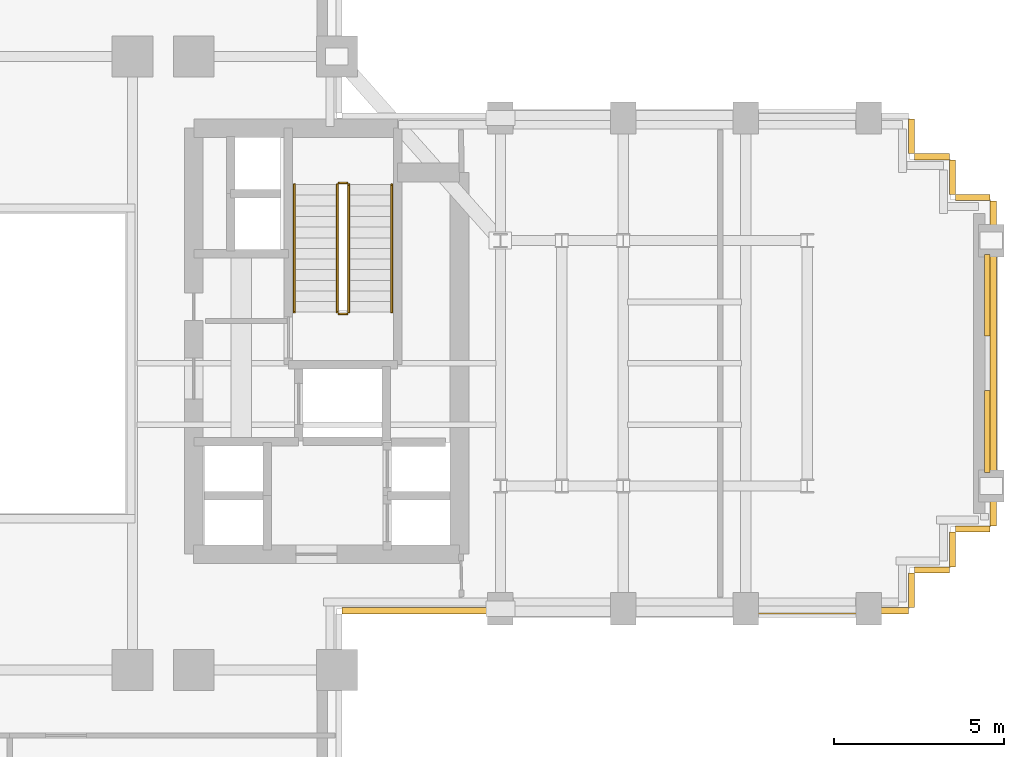
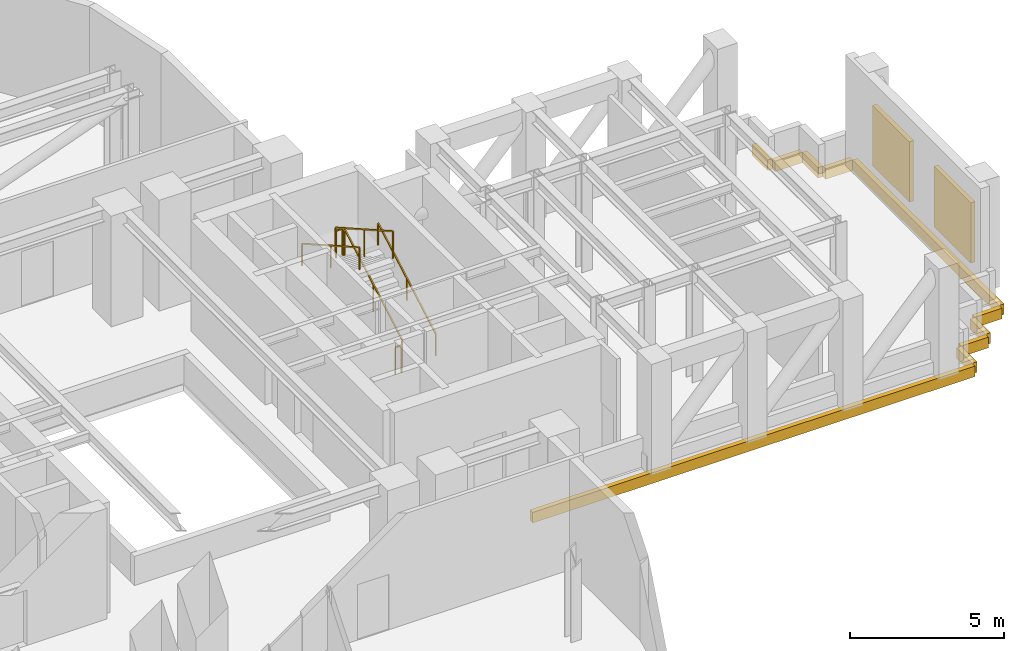
# One storey, part 14 of 15: 10 coverings, 6 railings, 2 shading devices.
"""IFC4 building model written with IfcOpenShell, lengths in metres."""

from ifc_helpers import new_model, si_unit, direction, frame, origin, origin_2d, place, context, subcontext, project, spatial, rectangle, extrude, source, transform, mapped, material, layer, layer_set, type_object, element, save


model = new_model("IFC4")

# Units and contexts
model_context = context("Model", 3, precision=1e-05, world=origin(), true_north=direction((0.0, 1.0)))
body_context = subcontext(model_context, "Body", "Model", "MODEL_VIEW")
ifc_project = project(units=[si_unit("LENGTHUNIT", "METRE"), si_unit("AREAUNIT", "SQUARE_METRE"), si_unit("VOLUMEUNIT", "CUBIC_METRE"), si_unit("PLANEANGLEUNIT", "RADIAN"), si_unit("MASSUNIT", "GRAM", prefix="KILO")], contexts=[model_context])

# Site, building, storey
site_placement = place(None, origin())
site = spatial("IfcSite", under=ifc_project, at=site_placement, CompositionType="ELEMENT")
building_placement = place(site_placement, origin())
building = spatial("IfcBuilding", under=site, at=building_placement, Name="Keilestroom Media Tower", CompositionType="ELEMENT")
storey_placement = place(building_placement, frame((0.0, 0.0, 88.39990234375)))
storey = spatial("IfcBuildingStorey", under=building, at=storey_placement, Name="L23", CompositionType="ELEMENT", Elevation=88.39990234375)

# Railings
ifc_material_1 = material(Name="Brushed Stainless Steel 1.4301", Category="steel")
railing_type_1 = type_object("IfcRailingType", Name="Stair-Pitch-Handrail-920", PredefinedType="HANDRAIL", material=ifc_material_1)
railing_1_placement = place(storey_placement, frame((11.2099609375, 1.5, 0.177001953125)))
element("IfcRailing", 1, at=railing_1_placement, inside=storey, type_object=railing_type_1, Name="L23 ST-2 stair handrail 1", PredefinedType="HANDRAIL", context=body_context, shape_type="SweptSolid", body=[
    extrude(rectangle(XDim=0.048095703125, YDim=0.048095703125, at=origin_2d()), frame((0.0, 0.0, 0.8759765625), z_axis=(0.0, 0.869872104396, 0.493277327671), x_axis=(-1.0, 0.0, 0.0)), (0.0, 0.0, 1.0), 4.303955078125),
    extrude(rectangle(XDim=0.0419921875, YDim=0.0419921875, at=origin_2d()), origin(), (0.0, 0.0, 1.0), 0.84375),
    extrude(rectangle(XDim=0.0419921875, YDim=0.0419921875, at=origin_2d()), frame((0.0, 1.8720703125, 1.0615234375)), (0.0, 0.0, 1.0), 0.84375),
    extrude(rectangle(XDim=0.0419921875, YDim=0.0419921875, at=origin_2d()), frame((0.0, 3.743896484375, 2.123046875)), (0.0, 0.0, 1.0), 0.84375),
])
railing_2_placement = place(storey_placement, frame((8.35009765625, 5.243896484375, 2.47705078125)))
element("IfcRailing", 2, at=railing_2_placement, inside=storey, type_object=railing_type_1, Name="L23 ST-2 stair handrail 2", PredefinedType="HANDRAIL", context=body_context, shape_type="SweptSolid", body=[
    extrude(rectangle(XDim=0.048095703125, YDim=0.048095703125, at=origin_2d()), frame((0.0, 0.0, 0.8759765625), z_axis=(0.0, -0.869872104396, 0.493277327671), x_axis=(1.0, 0.0, 0.0)), (0.0, 0.0, 1.0), 4.303955078125),
    extrude(rectangle(XDim=0.0419921875, YDim=0.0419921875, at=origin_2d()), origin(), (0.0, 0.0, 1.0), 0.84375),
    extrude(rectangle(XDim=0.0419921875, YDim=0.0419921875, at=origin_2d()), frame((0.0, -1.8720703125, 1.0615234375)), (0.0, 0.0, 1.0), 0.84375),
    extrude(rectangle(XDim=0.0419921875, YDim=0.0419921875, at=origin_2d()), frame((0.0, -3.743896484375, 2.123046875)), (0.0, 0.0, 1.0), 0.84375),
])
ifc_material_2 = material(Name="Painted Steel Balustrade", Category="steel")
railing_type_2 = type_object("IfcRailingType", Name="Stair-Well-And-Landing-Guard-1100", PredefinedType="GUARDRAIL", material=ifc_material_2)
railing_3_placement = place(storey_placement, frame((9.949951171875, 1.5, 0.177001953125)))
element("IfcRailing", 3, at=railing_3_placement, inside=storey, type_object=railing_type_2, Name="L23 ST-2 stair guard 1", PredefinedType="GUARDRAIL", context=body_context, shape_type="SweptSolid", body=[
    extrude(rectangle(XDim=0.048095703125, YDim=0.048095703125, at=origin_2d()), frame((0.0, 0.0, 1.076171875), z_axis=(0.0, 0.869872104396, 0.493277327671), x_axis=(-1.0, 0.0, 0.0)), (0.0, 0.0, 1.0), 4.303955078125),
    extrude(rectangle(XDim=0.0419921875, YDim=0.0419921875, at=origin_2d()), origin(), (0.0, 0.0, 1.0), 1.0439453125),
    extrude(rectangle(XDim=0.0419921875, YDim=0.0419921875, at=origin_2d()), frame((0.0, 1.8720703125, 1.0615234375)), (0.0, 0.0, 1.0), 1.0439453125),
    extrude(rectangle(XDim=0.0419921875, YDim=0.0419921875, at=origin_2d()), frame((0.0, 3.743896484375, 2.123046875)), (0.0, 0.0, 1.0), 1.0439453125),
])
railing_4_placement = place(storey_placement, frame((9.89990234375, 5.2939453125, 2.300048828125)))
element("IfcRailing", 4, at=railing_4_placement, inside=storey, type_object=railing_type_2, Name="L23 ST-2 stair guard 2", PredefinedType="GUARDRAIL", context=body_context, shape_type="SweptSolid", body=[
    extrude(rectangle(XDim=0.048095703125, YDim=0.048095703125, at=origin_2d()), frame((0.0, 0.0, 1.076171875), z_axis=(-1.0, 0.0, 0.0), x_axis=(0.0, -1.0, 0.0)), (0.0, 0.0, 1.0), 0.239990234375),
    extrude(rectangle(XDim=0.0419921875, YDim=0.0419921875, at=origin_2d()), origin(), (0.0, 0.0, 1.0), 1.0439453125),
    extrude(rectangle(XDim=0.0419921875, YDim=0.0419921875, at=origin_2d()), frame((-0.239990234375, 0.0, 0.0)), (0.0, 0.0, 1.0), 1.0439453125),
])
railing_5_placement = place(storey_placement, frame((9.610107421875, 5.243896484375, 2.47705078125)))
element("IfcRailing", 5, at=railing_5_placement, inside=storey, type_object=railing_type_2, Name="L23 ST-2 stair guard 3", PredefinedType="GUARDRAIL", context=body_context, shape_type="SweptSolid", body=[
    extrude(rectangle(XDim=0.048095703125, YDim=0.048095703125, at=origin_2d()), frame((0.0, 0.0, 1.076171875), z_axis=(0.0, -0.869872104396, 0.493277327671), x_axis=(1.0, 0.0, 0.0)), (0.0, 0.0, 1.0), 4.303955078125),
    extrude(rectangle(XDim=0.0419921875, YDim=0.0419921875, at=origin_2d()), origin(), (0.0, 0.0, 1.0), 1.0439453125),
    extrude(rectangle(XDim=0.0419921875, YDim=0.0419921875, at=origin_2d()), frame((0.0, -1.8720703125, 1.0615234375)), (0.0, 0.0, 1.0), 1.0439453125),
    extrude(rectangle(XDim=0.0419921875, YDim=0.0419921875, at=origin_2d()), frame((0.0, -3.743896484375, 2.123046875)), (0.0, 0.0, 1.0), 1.0439453125),
])
railing_6_placement = place(storey_placement, frame((9.89990234375, 1.449951171875, 0.0)))
element("IfcRailing", 6, at=railing_6_placement, inside=storey, type_object=railing_type_2, Name="L23 ST-2 stair guard 4", PredefinedType="GUARDRAIL", context=body_context, shape_type="SweptSolid", body=[
    extrude(rectangle(XDim=0.048095703125, YDim=0.048095703125, at=origin_2d()), frame((0.0, 0.0, 1.076171875), z_axis=(-1.0, 0.0, 0.0), x_axis=(0.0, -1.0, 0.0)), (0.0, 0.0, 1.0), 0.239990234375),
    extrude(rectangle(XDim=0.0419921875, YDim=0.0419921875, at=origin_2d()), origin(), (0.0, 0.0, 1.0), 1.0439453125),
    extrude(rectangle(XDim=0.0419921875, YDim=0.0419921875, at=origin_2d()), frame((-0.239990234375, 0.0, 0.0)), (0.0, 0.0, 1.0), 1.0439453125),
])

# Shading devices
ifc_material_3 = material(Name="Bronze Anodised Aluminium", Category="aluminium")
ifc_layer_1 = layer(ifc_material_3, 0.159912109375)
ifc_layer_set_1 = layer_set([ifc_layer_1], Name="Bronze Anodised Aluminium")
shading_device_type = type_object("IfcShadingDeviceType", Name="Facade-Plant-Intake-Louvre-SHD-2", PredefinedType="USERDEFINED", material=ifc_layer_set_1)
shared_shape_1 = source(origin(), body_context, "Body", "SweptSolid", [
    extrude(rectangle(XDim=0.159912109375, YDim=2.39990234375, at=origin_2d()), origin(), (0.0, 0.0, 1.0), 2.39990234375),
])
for number, where, z_axis, x_axis, name in (
    (7, (28.68994140625, -2.0, 0.60009765625), (0.0, 0.0, 1.0), (1.0, 0.0, 0.0), "L23 Plant Intake Louvre E 07"),
    (8, (28.68994140625, 2.0, 0.60009765625), (0.0, 0.0, 1.0), (1.0, 0.0, 0.0), "L23 Plant Intake Louvre E 08"),
):
    element("IfcShadingDevice", number, at=place(storey_placement, frame(where, z_axis=z_axis, x_axis=x_axis)), inside=storey, type_object=shading_device_type, Name=name, ObjectType="LOUVER", PredefinedType="USERDEFINED", context=body_context, shape_type="MappedRepresentation", body=[
        mapped(shared_shape_1, transform((0.0, 0.0, 0.0), x_axis=(1.0, 0.0, 0.0), y_axis=(0.0, 1.0, 0.0), z_axis=(0.0, 0.0, 1.0), scale=1.0)),
    ])

# Coverings
ifc_material_4 = material(Name="Precast concrete C40/50", Category="concrete")
ifc_layer_2 = layer(ifc_material_4, 0.1201171875)
ifc_layer_set_2 = layer_set([ifc_layer_2], Name="Precast concrete C40/50")
covering_type = type_object("IfcCoveringType", Name="Exterior-Precast-Spandrel-Cladding-Panel-120", PredefinedType="CLADDING", material=ifc_layer_set_2)
shared_shape_2 = source(origin(), body_context, "Body", "SweptSolid", [
    extrude(rectangle(XDim=1.02001953125, YDim=0.179931640625, at=origin_2d()), origin(), (0.0, 0.0, 1.0), 0.419921875),
])
for number, where, z_axis, x_axis, name in (
    (9, (28.260009765625, -4.860107421875, -0.599853515625), (0.0, 0.0, 1.0), (-1.0, 0.0, 0.0), "L23 Precast Slab-Edge Fascia Cornice 01"),
    (10, (27.659912109375, -5.4599609375, -0.599853515625), (0.0, 0.0, 1.0), (0.0, -1.0, 0.0), "L23 Precast Slab-Edge Fascia Cornice 02"),
    (11, (27.06005859375, -6.06005859375, -0.599853515625), (0.0, 0.0, 1.0), (-1.0, 0.0, 0.0), "L23 Precast Slab-Edge Fascia Cornice 03"),
    (12, (26.4599609375, -6.659912109375, -0.599853515625), (0.0, 0.0, 1.0), (0.0, -1.0, 0.0), "L23 Precast Slab-Edge Fascia Cornice 04"),
    (13, (26.4599609375, 6.659912109375, -0.599853515625), (0.0, 0.0, 1.0), (0.0, -1.0, 0.0), "L23 Precast Slab-Edge Fascia Cornice 38"),
    (14, (27.06005859375, 6.06005859375, -0.599853515625), (0.0, 0.0, 1.0), (1.0, 0.0, 0.0), "L23 Precast Slab-Edge Fascia Cornice 39"),
    (15, (27.659912109375, 5.4599609375, -0.599853515625), (0.0, 0.0, 1.0), (0.0, -1.0, 0.0), "L23 Precast Slab-Edge Fascia Cornice 40"),
    (16, (28.260009765625, 4.860107421875, -0.599853515625), (0.0, 0.0, 1.0), (1.0, 0.0, 0.0), "L23 Precast Slab-Edge Fascia Cornice 41"),
):
    element("IfcCovering", number, at=place(storey_placement, frame(where, z_axis=z_axis, x_axis=x_axis)), inside=storey, type_object=covering_type, Name=name, PredefinedType="CLADDING", context=body_context, shape_type="MappedRepresentation", body=[
        mapped(shared_shape_2, transform((0.0, 0.0, 0.0), x_axis=(1.0, 0.0, 0.0), y_axis=(0.0, 1.0, 0.0), z_axis=(0.0, 0.0, 1.0), scale=1.0)),
    ])
shared_shape_3 = source(origin(), body_context, "Body", "SweptSolid", [
    extrude(rectangle(XDim=16.6201171875, YDim=0.179931640625, at=origin_2d()), origin(), (0.0, 0.0, 1.0), 0.419921875),
])
covering_1_placement = place(storey_placement, frame((18.06005859375, -7.260009765625, -0.599853515625), z_axis=(0.0, 0.0, 1.0), x_axis=(-1.0, 0.0, 0.0)))
element("IfcCovering", 17, at=covering_1_placement, inside=storey, type_object=covering_type, Name="L23 Precast Slab-Edge Fascia Cornice 05", PredefinedType="CLADDING", context=body_context, shape_type="MappedRepresentation", body=[
    mapped(shared_shape_3, transform((0.0, 0.0, 0.0), x_axis=(1.0, 0.0, 0.0), y_axis=(0.0, 1.0, 0.0), z_axis=(0.0, 0.0, 1.0), scale=1.0)),
])
shared_shape_4 = source(origin(), body_context, "Body", "SweptSolid", [
    extrude(rectangle(XDim=9.5400390625, YDim=0.179931640625, at=origin_2d()), origin(), (0.0, 0.0, 1.0), 0.419921875),
])
covering_2_placement = place(storey_placement, frame((28.860107421875, 0.0, -0.599853515625), z_axis=(0.0, 0.0, 1.0), x_axis=(0.0, -1.0, 0.0)))
element("IfcCovering", 18, at=covering_2_placement, inside=storey, type_object=covering_type, Name="L23 Precast Slab-Edge Fascia Cornice 42", PredefinedType="CLADDING", context=body_context, shape_type="MappedRepresentation", body=[
    mapped(shared_shape_4, transform((0.0, 0.0, 0.0), x_axis=(1.0, 0.0, 0.0), y_axis=(0.0, 1.0, 0.0), z_axis=(0.0, 0.0, 1.0), scale=1.0)),
])

save(model, "model.ifc")
